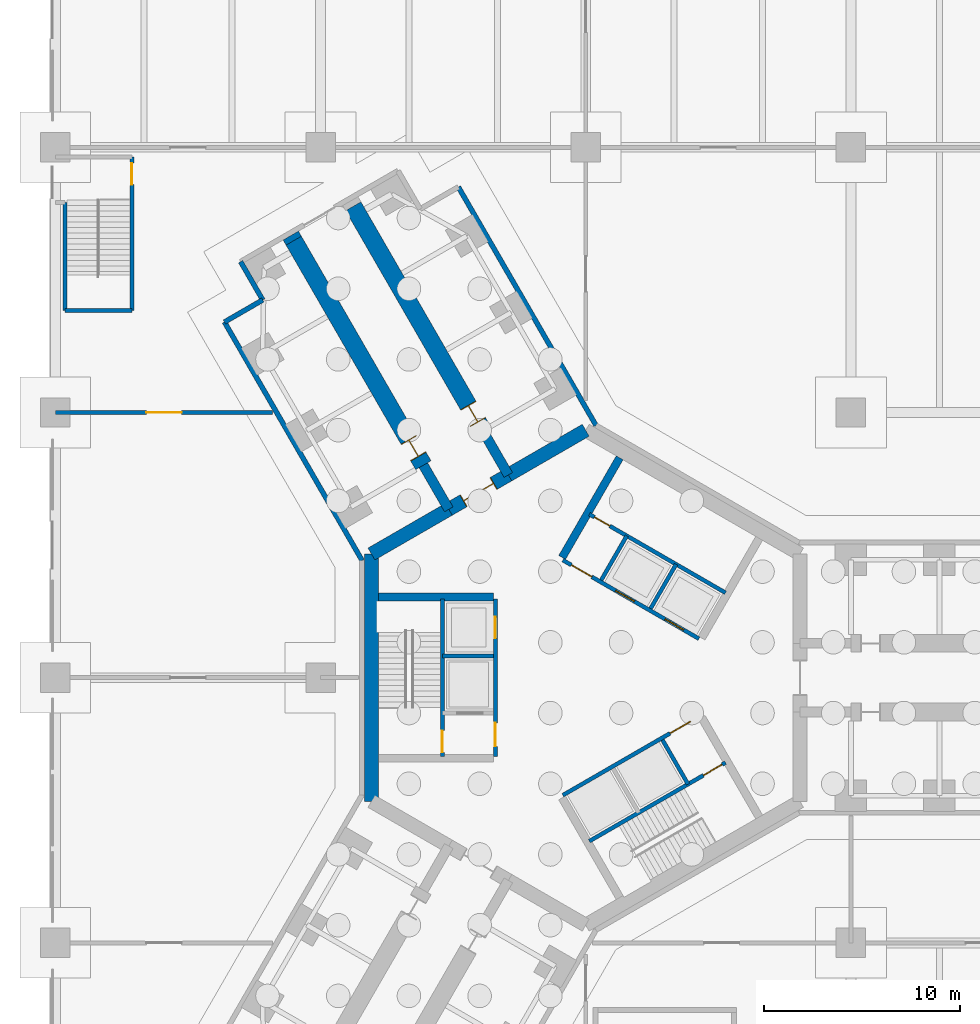
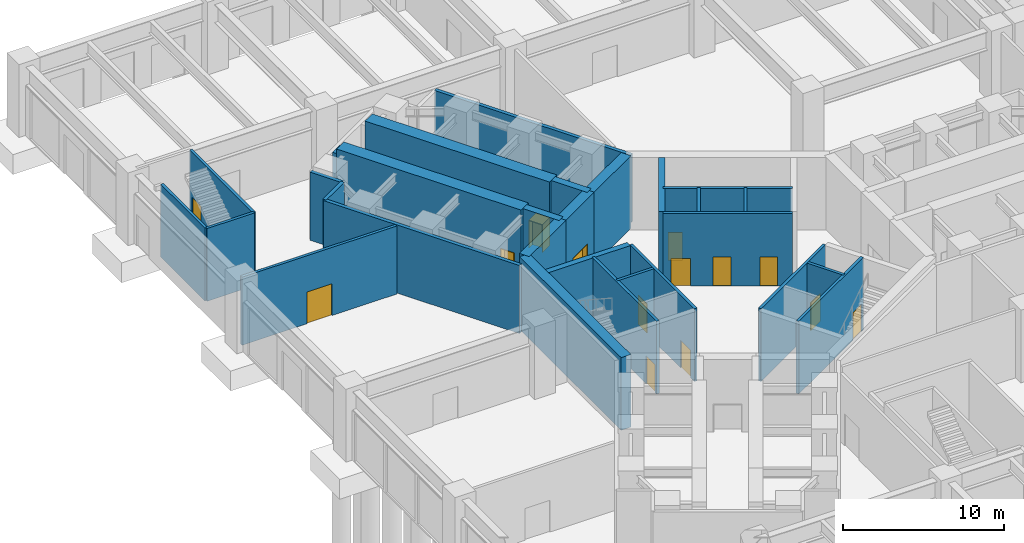
# One storey, part 8 of 18: 29 walls, 14 doors, 14 openings.
"""IFC4 building model written with IfcOpenShell, lengths in metres."""

from ifc_helpers import new_model, si_unit, direction, frame, frame_2d, origin, place, context, subcontext, project, spatial, rectangle, extrude, material, layer, layer_set, type_object, element, fill, save


model = new_model("IFC4")

# Units and contexts
model_context = context("Model", 3, precision=1e-05, world=origin(), true_north=direction((0.0, 1.0)))
body_context = subcontext(model_context, "Body", "Model", "MODEL_VIEW")
ifc_project = project(units=[si_unit("LENGTHUNIT", "METRE"), si_unit("AREAUNIT", "SQUARE_METRE"), si_unit("VOLUMEUNIT", "CUBIC_METRE"), si_unit("PLANEANGLEUNIT", "RADIAN"), si_unit("MASSUNIT", "GRAM", prefix="KILO")], contexts=[model_context])

# Site, building, storey
site_placement = place(None, origin())
site = spatial("IfcSite", under=ifc_project, at=site_placement, CompositionType="ELEMENT")
building_placement = place(site_placement, origin())
building = spatial("IfcBuilding", under=site, at=building_placement, Name="Upepo Twin Towers", CompositionType="ELEMENT")
storey_placement = place(building_placement, origin())
storey = spatial("IfcBuildingStorey", under=building, at=storey_placement, Name="L00", CompositionType="ELEMENT", Elevation=0.0)

# Walls
ifc_material_1 = material(Name="Dense concrete blockwork", Category="masonry")
ifc_layer_1 = layer(ifc_material_1, 0.89990234375)
ifc_layer_set_1 = layer_set([ifc_layer_1], Name="Buttress closer 900, blockwork with fire-stopping to the curtain wall")
wall_type_1 = type_object("IfcWallType", Name="Buttress closer 900, blockwork with fire-stopping to the curtain wall", PredefinedType="PARTITIONING", material=ifc_layer_set_1)
wall_1_placement = place(storey_placement, frame((-14.865478515625, 22.247802734375, 0.0), z_axis=(0.0, 0.0, 1.0), x_axis=(-0.500426713919, 0.865778900179, 0.0)))
element("IfcWall", 1, at=wall_1_placement, inside=storey, type_object=wall_type_1, Name="T1 L00 wing B buttress closer L", PredefinedType="PARTITIONING", context=body_context, shape_type="SweptSolid", body=[
    extrude(rectangle(XDim=0.300048828125, YDim=0.89990234375, at=frame_2d((0.14990234375, 0.0))), origin(), (0.0, 0.0, 1.0), 5.14990234375),
])
ifc_material_2 = material(Name="Concrete C60/75", Category="concrete")
ifc_layer_2 = layer(ifc_material_2, 0.5)
ifc_layer_set_2 = layer_set([ifc_layer_2], Name="Concrete C60/75")
wall_type_2 = type_object("IfcWallType", Name="Buttress wall 500 RC", PredefinedType="SHEAR", material=ifc_layer_set_2)
for number, where, z_axis, x_axis, name in (
    (2, (-6.9697265625, 8.57177734375, 0.0), (0.0, 0.0, 1.0), (-0.499988811324, 0.866031863473, 0.0), "T1 wing B buttress wall L"),
    (3, (-3.938720703125, 10.32177734375, 0.0), (0.0, 0.0, 1.0), (-0.499918158782, 0.866072649678, 0.0), "T1 wing B buttress wall R"),
):
    element("IfcWall", number, at=place(storey_placement, frame(where, z_axis=z_axis, x_axis=x_axis)), inside=storey, type_object=wall_type_2, Name=name, PredefinedType="SHEAR", context=body_context, shape_type="SweptSolid", body=[
        extrude(rectangle(XDim=2.591796875, YDim=0.5, at=frame_2d((1.2958984375, 0.0))), origin(), (0.0, 0.0, 1.0), 5.5),
    ])

# Wall, opening, door
ifc_material_3 = material(Name="Concrete C60/75", Category="concrete")
ifc_layer_3 = layer(ifc_material_3, 0.89990234375)
ifc_layer_set_3 = layer_set([ifc_layer_3], Name="Concrete C60/75")
wall_type_3 = type_object("IfcWallType", Name="Buttress wall 900 RC", PredefinedType="SHEAR", material=ifc_layer_set_3)
wall_2_placement = place(storey_placement, frame((-8.265625, 10.81640625, 0.0), z_axis=(0.0, 0.0, 1.0), x_axis=(-0.499996231654, 0.866027579429, 0.0)))
wall_2 = element("IfcWall", 4, at=wall_2_placement, inside=storey, type_object=wall_type_3, Name="T1 wing B buttress wall L part 2", PredefinedType="SHEAR", context=body_context, shape_type="SweptSolid", body=[
    extrude(rectangle(XDim=13.19970703125, YDim=0.89990234375, at=frame_2d((6.599853515625, 0.0))), origin(), (0.0, 0.0, 1.0), 5.5),
])
opening_1_placement = place(wall_2_placement, frame((0.5, 0.0, 0.0)))
opening_1 = element("IfcOpeningElement", 5, at=opening_1_placement, cuts=wall_2, Name="Opening D1", PredefinedType="OPENING", context=body_context, shape_type="SweptSolid", body=[
    extrude(rectangle(XDim=1.0, YDim=2.10009765625, at=frame_2d((0.5, 1.050048828125))), frame((0.0, 0.4599609375, 0.0), z_axis=(0.0, -1.0, 0.0), x_axis=(1.0, 0.0, 0.0)), (0.0, 0.0, 1.0), 0.919921875),
])
ifc_material_4 = material(Name="Timber doorset", Category="wood")
door_type_1 = type_object("IfcDoorType", Name="Room door 1000 FD30", OperationType="SINGLE_SWING_LEFT", PredefinedType="DOOR", material=ifc_material_4)
door_1_placement = place(opening_1_placement, origin())
door_1 = element("IfcDoor", 6, at=door_1_placement, inside=storey, type_object=door_type_1, Name="T1 L00 student advice centre door", OperationType="SINGLE_SWING_LEFT", OverallHeight=2.10009765625, OverallWidth=1.0, PredefinedType="DOOR", context=body_context, shape_type="SweptSolid", body=[
    extrude(rectangle(XDim=0.92, YDim=2.06009765625, at=frame_2d((0.5, 1.030029296875))), frame((0.0, 0.02490234375, 0.0), z_axis=(0.0, -1.0, 0.0), x_axis=(1.0, 0.0, 0.0)), (0.0, 0.0, 1.0), 0.050048828125),
    extrude(rectangle(XDim=0.04, YDim=2.10009765625, at=frame_2d((0.02001953125, 1.050048828125))), frame((0.0, 0.44970703125, 0.0), z_axis=(0.0, -1.0, 0.0), x_axis=(1.0, 0.0, 0.0)), (0.0, 0.0, 1.0), 0.8994140625),
    extrude(rectangle(XDim=0.04, YDim=2.10009765625, at=frame_2d((0.97998046875, 1.050048828125))), frame((0.0, 0.44970703125, 0.0), z_axis=(0.0, -1.0, 0.0), x_axis=(1.0, 0.0, 0.0)), (0.0, 0.0, 1.0), 0.8994140625),
    extrude(rectangle(XDim=0.92, YDim=0.04, at=frame_2d((0.5, 2.080078125))), frame((0.0, 0.44970703125, 0.0), z_axis=(0.0, -1.0, 0.0), x_axis=(1.0, 0.0, 0.0)), (0.0, 0.0, 1.0), 0.8994140625),
])
fill(opening_1, door_1)

wall_3_placement = place(storey_placement, frame((-5.234375, 12.56640625, 0.0), z_axis=(0.0, 0.0, 1.0), x_axis=(-0.500010103361, 0.866019570528, 0.0)))
wall_3 = element("IfcWall", 7, at=wall_3_placement, inside=storey, type_object=wall_type_3, Name="T1 wing B buttress wall R part 2", PredefinedType="SHEAR", context=body_context, shape_type="SweptSolid", body=[
    extrude(rectangle(XDim=13.199951171875, YDim=0.89990234375, at=frame_2d((6.60009765625, 0.0))), origin(), (0.0, 0.0, 1.0), 5.5),
])
opening_2_placement = place(wall_3_placement, frame((0.5, 0.0, 0.0)))
opening_2 = element("IfcOpeningElement", 8, at=opening_2_placement, cuts=wall_3, Name="Opening D1", PredefinedType="OPENING", context=body_context, shape_type="SweptSolid", body=[
    extrude(rectangle(XDim=1.0, YDim=2.10009765625, at=frame_2d((0.5, 1.050048828125))), frame((0.0, 0.4599609375, 0.0), z_axis=(0.0, -1.0, 0.0), x_axis=(1.0, 0.0, 0.0)), (0.0, 0.0, 1.0), 0.919921875),
])
door_2_placement = place(opening_2_placement, origin())
door_2 = element("IfcDoor", 9, at=door_2_placement, inside=storey, type_object=door_type_1, Name="T1 L00 student advice centre door", OperationType="SINGLE_SWING_LEFT", OverallHeight=2.10009765625, OverallWidth=1.0, PredefinedType="DOOR", context=body_context, shape_type="SweptSolid", body=[
    extrude(rectangle(XDim=0.92, YDim=2.06009765625, at=frame_2d((0.5, 1.030029296875))), frame((0.0, 0.02490234375, 0.0), z_axis=(0.0, -1.0, 0.0), x_axis=(1.0, 0.0, 0.0)), (0.0, 0.0, 1.0), 0.050048828125),
    extrude(rectangle(XDim=0.04, YDim=2.10009765625, at=frame_2d((0.02001953125, 1.050048828125))), frame((0.0, 0.44970703125, 0.0), z_axis=(0.0, -1.0, 0.0), x_axis=(1.0, 0.0, 0.0)), (0.0, 0.0, 1.0), 0.8994140625),
    extrude(rectangle(XDim=0.04, YDim=2.10009765625, at=frame_2d((0.97998046875, 1.050048828125))), frame((0.0, 0.44970703125, 0.0), z_axis=(0.0, -1.0, 0.0), x_axis=(1.0, 0.0, 0.0)), (0.0, 0.0, 1.0), 0.8994140625),
    extrude(rectangle(XDim=0.92, YDim=0.04, at=frame_2d((0.5, 2.080078125))), frame((0.0, 0.44970703125, 0.0), z_axis=(0.0, -1.0, 0.0), x_axis=(1.0, 0.0, 0.0)), (0.0, 0.0, 1.0), 0.8994140625),
])
fill(opening_2, door_2)

# Wall
ifc_material_5 = material(Name="Concrete C60/75", Category="concrete")
ifc_layer_4 = layer(ifc_material_5, 0.699951171875)
ifc_layer_set_4 = layer_set([ifc_layer_4], Name="Concrete C60/75")
wall_type_4 = type_object("IfcWallType", Name="Core wall 700 RC", PredefinedType="SHEAR", material=ifc_layer_set_4)
wall_4_placement = place(storey_placement, frame((0.0, 12.595947265625, 0.0), z_axis=(0.0, 0.0, 1.0), x_axis=(-0.866011268655, -0.500024481964, 0.0)))
element("IfcWall", 10, at=wall_4_placement, inside=storey, type_object=wall_type_4, Name="T1 core wall 120 R", PredefinedType="SHEAR", context=body_context, shape_type="SweptSolid", body=[
    extrude(rectangle(XDim=4.548095703125, YDim=0.699951171875, at=frame_2d((2.27392578125, 0.0))), origin(), (0.0, 0.0, 1.0), 5.5),
])

# Wall, opening, door
wall_5_placement = place(storey_placement, frame((-3.938720703125, 10.32177734375, 0.0), z_axis=(0.0, 0.0, 1.0), x_axis=(-0.866019471182, -0.500010275428, 0.0)))
wall_5 = element("IfcWall", 11, at=wall_5_placement, inside=storey, type_object=wall_type_4, Name="T1 core wall 120", PredefinedType="SHEAR", context=body_context, shape_type="SweptSolid", body=[
    extrude(rectangle(XDim=3.5, YDim=0.699951171875, at=frame_2d((1.75, 0.0))), origin(), (0.0, 0.0, 1.0), 5.5),
])
opening_3_placement = place(wall_5_placement, frame((0.85009765625, 0.0, 0.0)))
opening_3 = element("IfcOpeningElement", 12, at=opening_3_placement, cuts=wall_5, Name="Opening D2", PredefinedType="OPENING", context=body_context, shape_type="SweptSolid", body=[
    extrude(rectangle(XDim=1.800048828125, YDim=2.10009765625, at=frame_2d((0.89990234375, 1.050048828125))), frame((0.0, 0.35986328125, 0.0), z_axis=(0.0, -1.0, 0.0), x_axis=(1.0, 0.0, 0.0)), (0.0, 0.0, 1.0), 0.719970703125),
])
ifc_material_6 = material(Name="Timber doorset", Category="wood")
door_type_2 = type_object("IfcDoorType", Name="Corridor double door 1800 FD60", OperationType="DOUBLE_DOOR_DOUBLE_SWING", PredefinedType="DOOR", material=ifc_material_6)
door_3_placement = place(opening_3_placement, origin())
door_3 = element("IfcDoor", 13, at=door_3_placement, inside=storey, type_object=door_type_2, Name="T1 L00 wing B corridor door", OperationType="DOUBLE_DOOR_DOUBLE_SWING", OverallHeight=2.10009765625, OverallWidth=1.800048828125, PredefinedType="DOOR", context=body_context, shape_type="SweptSolid", body=[
    extrude(rectangle(XDim=1.720048828125, YDim=2.06009765625, at=frame_2d((0.89990234375, 1.030029296875))), frame((0.0, 0.02490234375, 0.0), z_axis=(0.0, -1.0, 0.0), x_axis=(1.0, 0.0, 0.0)), (0.0, 0.0, 1.0), 0.050048828125),
    extrude(rectangle(XDim=0.04, YDim=2.10009765625, at=frame_2d((0.02001953125, 1.050048828125))), frame((0.0, 0.349609375, 0.0), z_axis=(0.0, -1.0, 0.0), x_axis=(1.0, 0.0, 0.0)), (0.0, 0.0, 1.0), 0.699462890625),
    extrude(rectangle(XDim=0.04, YDim=2.10009765625, at=frame_2d((1.780029296875, 1.050048828125))), frame((0.0, 0.349609375, 0.0), z_axis=(0.0, -1.0, 0.0), x_axis=(1.0, 0.0, 0.0)), (0.0, 0.0, 1.0), 0.699462890625),
    extrude(rectangle(XDim=1.720048828125, YDim=0.04, at=frame_2d((0.89990234375, 2.080078125))), frame((0.0, 0.349609375, 0.0), z_axis=(0.0, -1.0, 0.0), x_axis=(1.0, 0.0, 0.0)), (0.0, 0.0, 1.0), 0.699462890625),
])
fill(opening_3, door_3)

# Walls
wall_6_placement = place(storey_placement, frame((-6.9697265625, 8.57177734375, 0.0), z_axis=(0.0, 0.0, 1.0), x_axis=(-0.866034513004, -0.499984222037, 0.0)))
element("IfcWall", 14, at=wall_6_placement, inside=storey, type_object=wall_type_4, Name="T1 core wall 120 L", PredefinedType="SHEAR", context=body_context, shape_type="SweptSolid", body=[
    extrude(rectangle(XDim=4.548095703125, YDim=0.699951171875, at=frame_2d((2.27392578125, 0.0))), origin(), (0.0, 0.0, 1.0), 5.5),
])
wall_7_placement = place(storey_placement, frame((-10.908447265625, 6.2978515625, 0.0), z_axis=(0.0, 0.0, 1.0), x_axis=(0.0, -1.0, 0.0)))
element("IfcWall", 15, at=wall_7_placement, inside=storey, type_object=wall_type_4, Name="T1 core wall 180", PredefinedType="SHEAR", context=body_context, shape_type="SweptSolid", body=[
    extrude(rectangle(XDim=12.595703125, YDim=0.699951171875, at=frame_2d((6.2978515625, 0.0))), origin(), (0.0, 0.0, 1.0), 5.5),
])

# Wall, opening, door
ifc_material_7 = material(Name="Concrete blockwork", Category="masonry")
ifc_layer_5 = layer(ifc_material_7, 0.199951171875)
ifc_layer_set_5 = layer_set([ifc_layer_5], Name="Podium partition 200 blockwork")
wall_type_5 = type_object("IfcWallType", Name="Podium partition 200 blockwork", PredefinedType="PARTITIONING", material=ifc_layer_set_5)
wall_8_placement = place(storey_placement, frame((-27.0, 13.5, 0.0), z_axis=(0.0, 0.0, 1.0), x_axis=(1.0, 0.0, 0.0)))
wall_8 = element("IfcWall", 16, at=wall_8_placement, inside=storey, type_object=wall_type_5, Name="L00 podium wall Y04", PredefinedType="PARTITIONING", context=body_context, shape_type="SweptSolid", body=[
    extrude(rectangle(XDim=11.065185546875, YDim=0.199951171875, at=frame_2d((5.53271484375, 0.0))), origin(), (0.0, 0.0, 1.0), 5.14990234375),
])
opening_4_placement = place(wall_8_placement, frame((4.632568359375, 0.0, 0.0)))
opening_4 = element("IfcOpeningElement", 17, at=opening_4_placement, cuts=wall_8, Name="Opening D10", PredefinedType="OPENING", context=body_context, shape_type="SweptSolid", body=[
    extrude(rectangle(XDim=1.800048828125, YDim=2.39990234375, at=frame_2d((0.89990234375, 1.199951171875))), frame((0.0, 0.10986328125, 0.0), z_axis=(0.0, -1.0, 0.0), x_axis=(1.0, 0.0, 0.0)), (0.0, 0.0, 1.0), 0.219970703125),
])
ifc_material_8 = material(Name="Timber doorset", Category="wood")
door_type_3 = type_object("IfcDoorType", Name="Podium double door 1800", OperationType="DOUBLE_DOOR_DOUBLE_SWING", PredefinedType="DOOR", material=ifc_material_8)
door_4_placement = place(opening_4_placement, origin())
door_4 = element("IfcDoor", 18, at=door_4_placement, inside=storey, type_object=door_type_3, Name="L00 bookshop annex 2 door", OperationType="DOUBLE_DOOR_DOUBLE_SWING", OverallHeight=2.39990234375, OverallWidth=1.800048828125, PredefinedType="DOOR", context=body_context, shape_type="SweptSolid", body=[
    extrude(rectangle(XDim=1.800048828125, YDim=2.39990234375, at=frame_2d((0.89990234375, 1.199951171875))), frame((0.0, 0.02490234375, 0.0), z_axis=(0.0, -1.0, 0.0), x_axis=(1.0, 0.0, 0.0)), (0.0, 0.0, 1.0), 0.050048828125),
])
fill(opening_4, door_4)

# Wall
ifc_material_9 = material(Name="Concrete C40/50", Category="concrete")
ifc_layer_6 = layer(ifc_material_9, 0.199951171875)
ifc_layer_set_6 = layer_set([ifc_layer_6], Name="Concrete C40/50")
wall_type_6 = type_object("IfcWallType", Name="Podium stair enclosure 200 RC", PredefinedType="SHEAR", material=ifc_layer_set_6)
wall_9_placement = place(storey_placement, frame((-26.5, 18.699951171875, 0.0), z_axis=(0.0, 0.0, 1.0), x_axis=(1.0, 0.0, 0.0)))
element("IfcWall", 19, at=wall_9_placement, inside=storey, type_object=wall_type_6, Name="PS1 L00 enclosure wall 1", PredefinedType="SHEAR", context=body_context, shape_type="SweptSolid", body=[
    extrude(rectangle(XDim=3.39990234375, YDim=0.199951171875, at=frame_2d((1.699951171875, 0.0))), origin(), (0.0, 0.0, 1.0), 5.5),
])

# Wall, opening, door
wall_10_placement = place(storey_placement, frame((-23.10009765625, 18.699951171875, 0.0), z_axis=(0.0, 0.0, 1.0), x_axis=(0.0, 1.0, 0.0)))
wall_10 = element("IfcWall", 20, at=wall_10_placement, inside=storey, type_object=wall_type_6, Name="PS1 L00 enclosure wall 2", PredefinedType="SHEAR", context=body_context, shape_type="SweptSolid", body=[
    extrude(rectangle(XDim=7.800048828125, YDim=0.199951171875, at=frame_2d((3.89990234375, 0.0))), origin(), (0.0, 0.0, 1.0), 5.5),
])
opening_5_placement = place(wall_10_placement, frame((6.39990234375, 0.0, 0.0)))
opening_5 = element("IfcOpeningElement", 21, at=opening_5_placement, cuts=wall_10, Name="Opening D3", PredefinedType="OPENING", context=body_context, shape_type="SweptSolid", body=[
    extrude(rectangle(XDim=1.10009765625, YDim=2.10009765625, at=frame_2d((0.550048828125, 1.050048828125))), frame((0.0, 0.10986328125, 0.0), z_axis=(0.0, -1.0, 0.0), x_axis=(1.0, 0.0, 0.0)), (0.0, 0.0, 1.0), 0.219970703125),
])
ifc_material_10 = material(Name="Timber doorset", Category="wood")
door_type_4 = type_object("IfcDoorType", Name="Stair door 1100 FD60", OperationType="SINGLE_SWING_LEFT", PredefinedType="DOOR", material=ifc_material_10)
door_5_placement = place(opening_5_placement, origin())
door_5 = element("IfcDoor", 22, at=door_5_placement, inside=storey, type_object=door_type_4, Name="PS1 L00 door", OperationType="SINGLE_SWING_RIGHT", OverallHeight=2.10009765625, OverallWidth=1.10009765625, PredefinedType="DOOR", context=body_context, shape_type="SweptSolid", body=[
    extrude(rectangle(XDim=1.10009765625, YDim=2.10009765625, at=frame_2d((0.550048828125, 1.050048828125))), frame((0.0, 0.02490234375, 0.0), z_axis=(0.0, -1.0, 0.0), x_axis=(1.0, 0.0, 0.0)), (0.0, 0.0, 1.0), 0.050048828125),
])
fill(opening_5, door_5)

# Wall
wall_11_placement = place(storey_placement, frame((-26.5, 24.199951171875, 0.0), z_axis=(0.0, 0.0, 1.0), x_axis=(0.0, -1.0, 0.0)))
element("IfcWall", 23, at=wall_11_placement, inside=storey, type_object=wall_type_6, Name="PS1 L00 enclosure wall 4", PredefinedType="SHEAR", context=body_context, shape_type="SweptSolid", body=[
    extrude(rectangle(XDim=5.5, YDim=0.199951171875, at=frame_2d((2.75, 0.0))), origin(), (0.0, 0.0, 1.0), 5.5),
])

# Wall, openings, doors
ifc_material_11 = material(Name="Concrete C40/50", Category="concrete")
ifc_layer_7 = layer(ifc_material_11, 0.199951171875)
ifc_layer_set_7 = layer_set([ifc_layer_7], Name="Concrete C40/50")
wall_type_7 = type_object("IfcWallType", Name="Shaft wall 200 RC", PredefinedType="SHEAR", material=ifc_layer_set_7)
wall_12_placement = place(storey_placement, frame((5.76416015625, 1.983642578125, 0.0), z_axis=(0.0, 0.0, 1.0), x_axis=(-0.866026010844, 0.49999894854, 0.0)))
wall_12 = element("IfcWall", 24, at=wall_12_placement, inside=storey, type_object=wall_type_7, Name="T1 core W60 front wall", PredefinedType="SHEAR", context=body_context, shape_type="SweptSolid", body=[
    extrude(rectangle(XDim=8.0, YDim=0.199951171875, at=frame_2d((4.0, 0.0))), origin(), (0.0, 0.0, 1.0), 5.5),
])
opening_6_placement = place(wall_12_placement, frame((6.300048828125, 0.0, 0.0)))
opening_6 = element("IfcOpeningElement", 25, at=opening_6_placement, cuts=wall_12, Name="Opening D4", PredefinedType="OPENING", context=body_context, shape_type="SweptSolid", body=[
    extrude(rectangle(XDim=1.199951171875, YDim=2.10009765625, at=frame_2d((0.60009765625, 1.050048828125))), frame((0.0, 0.10986328125, 0.0), z_axis=(0.0, -1.0, 0.0), x_axis=(1.0, 0.0, 0.0)), (0.0, 0.0, 1.0), 0.219970703125),
])
opening_7_placement = place(wall_12_placement, frame((0.89990234375, 0.0, 0.0)))
opening_7 = element("IfcOpeningElement", 26, at=opening_7_placement, cuts=wall_12, Name="Opening LD1", PredefinedType="OPENING", context=body_context, shape_type="SweptSolid", body=[
    extrude(rectangle(XDim=1.10009765625, YDim=2.199951171875, at=frame_2d((0.550048828125, 1.10009765625))), frame((0.0, 0.10986328125, 0.0), z_axis=(0.0, -1.0, 0.0), x_axis=(1.0, 0.0, 0.0)), (0.0, 0.0, 1.0), 0.219970703125),
])
opening_8_placement = place(wall_12_placement, frame((3.800048828125, 0.0, 0.0)))
opening_8 = element("IfcOpeningElement", 27, at=opening_8_placement, cuts=wall_12, Name="Opening LD1", PredefinedType="OPENING", context=body_context, shape_type="SweptSolid", body=[
    extrude(rectangle(XDim=1.10009765625, YDim=2.199951171875, at=frame_2d((0.550048828125, 1.10009765625))), frame((0.0, 0.10986328125, 0.0), z_axis=(0.0, -1.0, 0.0), x_axis=(1.0, 0.0, 0.0)), (0.0, 0.0, 1.0), 0.219970703125),
])
ifc_material_12 = material(Name="Steel doorset", Category="steel")
door_type_5 = type_object("IfcDoorType", Name="Lift landing door 1100", OperationType="DOUBLE_DOOR_SLIDING", PredefinedType="DOOR", material=ifc_material_12)
door_6_placement = place(opening_7_placement, origin())
door_6 = element("IfcDoor", 28, at=door_6_placement, inside=storey, type_object=door_type_5, Name="T1 L00 lift EX1 landing door", OperationType="DOUBLE_DOOR_SLIDING", OverallHeight=2.199951171875, OverallWidth=1.10009765625, PredefinedType="DOOR", context=body_context, shape_type="SweptSolid", body=[
    extrude(rectangle(XDim=1.10009765625, YDim=2.199951171875, at=frame_2d((0.550048828125, 1.10009765625))), frame((0.0, 0.02490234375, 0.0), z_axis=(0.0, -1.0, 0.0), x_axis=(1.0, 0.0, 0.0)), (0.0, 0.0, 1.0), 0.050048828125),
])
fill(opening_7, door_6)
door_7_placement = place(opening_8_placement, origin())
door_7 = element("IfcDoor", 29, at=door_7_placement, inside=storey, type_object=door_type_5, Name="T1 L00 lift EX2 landing door", OperationType="DOUBLE_DOOR_SLIDING", OverallHeight=2.199951171875, OverallWidth=1.10009765625, PredefinedType="DOOR", context=body_context, shape_type="SweptSolid", body=[
    extrude(rectangle(XDim=1.10009765625, YDim=2.199951171875, at=frame_2d((0.550048828125, 1.10009765625))), frame((0.0, 0.02490234375, 0.0), z_axis=(0.0, -1.0, 0.0), x_axis=(1.0, 0.0, 0.0)), (0.0, 0.0, 1.0), 0.050048828125),
])
fill(opening_8, door_7)
ifc_material_13 = material(Name="Timber doorset", Category="wood")
door_type_6 = type_object("IfcDoorType", Name="Lobby door 1200 FD60", OperationType="SINGLE_SWING_LEFT", PredefinedType="DOOR", material=ifc_material_13)
door_8_placement = place(opening_6_placement, origin())
door_8 = element("IfcDoor", 30, at=door_8_placement, inside=storey, type_object=door_type_6, Name="T1 L00 W60 lobby door", OperationType="SINGLE_SWING_RIGHT", OverallHeight=2.10009765625, OverallWidth=1.199951171875, PredefinedType="DOOR", context=body_context, shape_type="SweptSolid", body=[
    extrude(rectangle(XDim=1.199951171875, YDim=2.10009765625, at=frame_2d((0.60009765625, 1.050048828125))), frame((0.0, 0.02490234375, 0.0), z_axis=(0.0, -1.0, 0.0), x_axis=(1.0, 0.0, 0.0)), (0.0, 0.0, 1.0), 0.050048828125),
])
fill(opening_6, door_8)

# Walls
for number, where, z_axis, x_axis, name in (
    (31, (3.302734375, 3.520263671875, 0.0), (0.0, 0.0, 1.0), (0.499936506574, 0.866062058628, 0.0), "T1 core W60 shaft divider"),
    (32, (0.791259765625, 4.97021484375, 0.0), (0.0, 0.0, 1.0), (0.499936506574, 0.866062058628, 0.0), "T1 core W60 lobby wall"),
):
    element("IfcWall", number, at=place(storey_placement, frame(where, z_axis=z_axis, x_axis=x_axis)), inside=storey, type_object=wall_type_7, Name=name, PredefinedType="SHEAR", context=body_context, shape_type="SweptSolid", body=[
        extrude(rectangle(XDim=2.599853515625, YDim=0.199951171875, at=frame_2d((1.2998046875, 0.0))), origin(), (0.0, 0.0, 1.0), 5.5),
    ])

# Wall, opening, door
wall_13_placement = place(storey_placement, frame((7.114013671875, 4.322021484375, 0.0), z_axis=(0.0, 0.0, 1.0), x_axis=(-0.866026010844, 0.49999894854, 0.0)))
wall_13 = element("IfcWall", 33, at=wall_13_placement, inside=storey, type_object=wall_type_7, Name="T1 core W60 stair wall", PredefinedType="SHEAR", context=body_context, shape_type="SweptSolid", body=[
    extrude(rectangle(XDim=8.0, YDim=0.199951171875, at=frame_2d((4.0, 0.0))), origin(), (0.0, 0.0, 1.0), 5.5),
])
opening_9_placement = place(wall_13_placement, frame((6.800048828125, 0.0, 0.0)))
opening_9 = element("IfcOpeningElement", 34, at=opening_9_placement, cuts=wall_13, Name="Opening D9", PredefinedType="OPENING", context=body_context, shape_type="SweptSolid", body=[
    extrude(rectangle(XDim=0.89990234375, YDim=2.10009765625, at=frame_2d((0.449951171875, 1.050048828125))), frame((0.0, 0.10986328125, 0.0), z_axis=(0.0, -1.0, 0.0), x_axis=(1.0, 0.0, 0.0)), (0.0, 0.0, 1.0), 0.219970703125),
])
ifc_material_14 = material(Name="Timber doorset", Category="wood")
door_type_7 = type_object("IfcDoorType", Name="Riser door 900 FD60", OperationType="SINGLE_SWING_LEFT", PredefinedType="DOOR", material=ifc_material_14)
door_9_placement = place(opening_9_placement, origin())
door_9 = element("IfcDoor", 35, at=door_9_placement, inside=storey, type_object=door_type_7, Name="T1 L00 riser door", OperationType="SINGLE_SWING_RIGHT", OverallHeight=2.10009765625, OverallWidth=0.89990234375, PredefinedType="DOOR", context=body_context, shape_type="SweptSolid", body=[
    extrude(rectangle(XDim=0.89990234375, YDim=2.10009765625, at=frame_2d((0.449951171875, 1.050048828125))), frame((0.0, 0.02490234375, 0.0), z_axis=(0.0, -1.0, 0.0), x_axis=(1.0, 0.0, 0.0)), (0.0, 0.0, 1.0), 0.050048828125),
])
fill(opening_9, door_9)

# Wall, openings, doors
wall_14_placement = place(storey_placement, frame((-4.60009765625, 4.0, 0.0), z_axis=(0.0, 0.0, 1.0), x_axis=(0.0, -1.0, 0.0)))
wall_14 = element("IfcWall", 36, at=wall_14_placement, inside=storey, type_object=wall_type_7, Name="T1 core W180 front wall", PredefinedType="SHEAR", context=body_context, shape_type="SweptSolid", body=[
    extrude(rectangle(XDim=8.0, YDim=0.199951171875, at=frame_2d((4.0, 0.0))), origin(), (0.0, 0.0, 1.0), 5.5),
])
opening_10_placement = place(wall_14_placement, frame((6.300048828125, 0.0, 0.0)))
opening_10 = element("IfcOpeningElement", 37, at=opening_10_placement, cuts=wall_14, Name="Opening D4", PredefinedType="OPENING", context=body_context, shape_type="SweptSolid", body=[
    extrude(rectangle(XDim=1.199951171875, YDim=2.10009765625, at=frame_2d((0.60009765625, 1.050048828125))), frame((0.0, 0.10986328125, 0.0), z_axis=(0.0, -1.0, 0.0), x_axis=(1.0, 0.0, 0.0)), (0.0, 0.0, 1.0), 0.219970703125),
])
opening_11_placement = place(wall_14_placement, frame((0.89990234375, 0.0, 0.0)))
opening_11 = element("IfcOpeningElement", 38, at=opening_11_placement, cuts=wall_14, Name="Opening LD1", PredefinedType="OPENING", context=body_context, shape_type="SweptSolid", body=[
    extrude(rectangle(XDim=1.10009765625, YDim=2.199951171875, at=frame_2d((0.550048828125, 1.10009765625))), frame((0.0, 0.10986328125, 0.0), z_axis=(0.0, -1.0, 0.0), x_axis=(1.0, 0.0, 0.0)), (0.0, 0.0, 1.0), 0.219970703125),
])
door_10_placement = place(opening_11_placement, origin())
door_10 = element("IfcDoor", 39, at=door_10_placement, inside=storey, type_object=door_type_5, Name="T1 L00 lift SV1 landing door", OperationType="DOUBLE_DOOR_SLIDING", OverallHeight=2.199951171875, OverallWidth=1.10009765625, PredefinedType="DOOR", context=body_context, shape_type="SweptSolid", body=[
    extrude(rectangle(XDim=1.10009765625, YDim=2.199951171875, at=frame_2d((0.550048828125, 1.10009765625))), frame((0.0, 0.02490234375, 0.0), z_axis=(0.0, -1.0, 0.0), x_axis=(1.0, 0.0, 0.0)), (0.0, 0.0, 1.0), 0.050048828125),
])
fill(opening_11, door_10)
door_11_placement = place(opening_10_placement, origin())
door_11 = element("IfcDoor", 40, at=door_11_placement, inside=storey, type_object=door_type_6, Name="T1 L00 W180 lobby door", OperationType="SINGLE_SWING_RIGHT", OverallHeight=2.10009765625, OverallWidth=1.199951171875, PredefinedType="DOOR", context=body_context, shape_type="SweptSolid", body=[
    extrude(rectangle(XDim=1.199951171875, YDim=2.10009765625, at=frame_2d((0.60009765625, 1.050048828125))), frame((0.0, 0.02490234375, 0.0), z_axis=(0.0, -1.0, 0.0), x_axis=(1.0, 0.0, 0.0)), (0.0, 0.0, 1.0), 0.050048828125),
])
fill(opening_10, door_11)

# Wall
wall_15_placement = place(storey_placement, frame((-4.699951171875, 1.10009765625, 0.0), z_axis=(0.0, 0.0, 1.0), x_axis=(-1.0, 0.0, 0.0)))
element("IfcWall", 41, at=wall_15_placement, inside=storey, type_object=wall_type_7, Name="T1 core W180 shaft divider", PredefinedType="SHEAR", context=body_context, shape_type="SweptSolid", body=[
    extrude(rectangle(XDim=2.60009765625, YDim=0.199951171875, at=frame_2d((1.300048828125, 0.0))), origin(), (0.0, 0.0, 1.0), 5.5),
])

# Wall, opening, door
wall_16_placement = place(storey_placement, frame((-7.300048828125, 4.0, 0.0), z_axis=(0.0, 0.0, 1.0), x_axis=(0.0, -1.0, 0.0)))
wall_16 = element("IfcWall", 42, at=wall_16_placement, inside=storey, type_object=wall_type_7, Name="T1 core W180 stair wall", PredefinedType="SHEAR", context=body_context, shape_type="SweptSolid", body=[
    extrude(rectangle(XDim=8.0, YDim=0.199951171875, at=frame_2d((4.0, 0.0))), origin(), (0.0, 0.0, 1.0), 5.5),
])
opening_12_placement = place(wall_16_placement, frame((6.699951171875, 0.0, 0.0)))
opening_12 = element("IfcOpeningElement", 43, at=opening_12_placement, cuts=wall_16, Name="Opening D3", PredefinedType="OPENING", context=body_context, shape_type="SweptSolid", body=[
    extrude(rectangle(XDim=1.10009765625, YDim=2.10009765625, at=frame_2d((0.550048828125, 1.050048828125))), frame((0.0, 0.10986328125, 0.0), z_axis=(0.0, -1.0, 0.0), x_axis=(1.0, 0.0, 0.0)), (0.0, 0.0, 1.0), 0.219970703125),
])
door_12_placement = place(opening_12_placement, origin())
door_12 = element("IfcDoor", 44, at=door_12_placement, inside=storey, type_object=door_type_4, Name="T1 L00 stair door", OperationType="SINGLE_SWING_RIGHT", OverallHeight=2.10009765625, OverallWidth=1.10009765625, PredefinedType="DOOR", context=body_context, shape_type="SweptSolid", body=[
    extrude(rectangle(XDim=1.10009765625, YDim=2.10009765625, at=frame_2d((0.550048828125, 1.050048828125))), frame((0.0, 0.02490234375, 0.0), z_axis=(0.0, -1.0, 0.0), x_axis=(1.0, 0.0, 0.0)), (0.0, 0.0, 1.0), 0.050048828125),
])
fill(opening_12, door_12)

wall_17_placement = place(storey_placement, frame((-1.1640625, -5.983642578125, 0.0), z_axis=(0.0, 0.0, 1.0), x_axis=(0.866026010844, 0.49999894854, 0.0)))
wall_17 = element("IfcWall", 45, at=wall_17_placement, inside=storey, type_object=wall_type_7, Name="T1 core W300 front wall", PredefinedType="SHEAR", context=body_context, shape_type="SweptSolid", body=[
    extrude(rectangle(XDim=8.0, YDim=0.199951171875, at=frame_2d((4.0, 0.0))), origin(), (0.0, 0.0, 1.0), 5.5),
])
opening_13_placement = place(wall_17_placement, frame((6.300048828125, 0.0, 0.0)))
opening_13 = element("IfcOpeningElement", 46, at=opening_13_placement, cuts=wall_17, Name="Opening D4", PredefinedType="OPENING", context=body_context, shape_type="SweptSolid", body=[
    extrude(rectangle(XDim=1.199951171875, YDim=2.10009765625, at=frame_2d((0.60009765625, 1.050048828125))), frame((0.0, 0.10986328125, 0.0), z_axis=(0.0, -1.0, 0.0), x_axis=(1.0, 0.0, 0.0)), (0.0, 0.0, 1.0), 0.219970703125),
])
door_13_placement = place(opening_13_placement, origin())
door_13 = element("IfcDoor", 47, at=door_13_placement, inside=storey, type_object=door_type_6, Name="T1 L00 W300 lobby door", OperationType="SINGLE_SWING_RIGHT", OverallHeight=2.10009765625, OverallWidth=1.199951171875, PredefinedType="DOOR", context=body_context, shape_type="SweptSolid", body=[
    extrude(rectangle(XDim=1.199951171875, YDim=2.10009765625, at=frame_2d((0.60009765625, 1.050048828125))), frame((0.0, 0.02490234375, 0.0), z_axis=(0.0, -1.0, 0.0), x_axis=(1.0, 0.0, 0.0)), (0.0, 0.0, 1.0), 0.050048828125),
])
fill(opening_13, door_13)

# Wall
wall_18_placement = place(storey_placement, frame((3.908935546875, -3.17041015625, 0.0), z_axis=(0.0, 0.0, 1.0), x_axis=(0.49997716683, -0.86603858612, 0.0)))
element("IfcWall", 48, at=wall_18_placement, inside=storey, type_object=wall_type_7, Name="T1 core W300 lobby wall", PredefinedType="SHEAR", context=body_context, shape_type="SweptSolid", body=[
    extrude(rectangle(XDim=2.599609375, YDim=0.199951171875, at=frame_2d((1.2998046875, 0.0))), origin(), (0.0, 0.0, 1.0), 5.5),
])

# Wall, opening, door
wall_19_placement = place(storey_placement, frame((0.185791015625, -8.322021484375, 0.0), z_axis=(0.0, 0.0, 1.0), x_axis=(0.866026010844, 0.49999894854, 0.0)))
wall_19 = element("IfcWall", 49, at=wall_19_placement, inside=storey, type_object=wall_type_7, Name="T1 core W300 stair wall", PredefinedType="SHEAR", context=body_context, shape_type="SweptSolid", body=[
    extrude(rectangle(XDim=8.0, YDim=0.199951171875, at=frame_2d((4.0, 0.0))), origin(), (0.0, 0.0, 1.0), 5.5),
])
opening_14_placement = place(wall_19_placement, frame((6.699951171875, 0.0, 0.0)))
opening_14 = element("IfcOpeningElement", 50, at=opening_14_placement, cuts=wall_19, Name="Opening D3", PredefinedType="OPENING", context=body_context, shape_type="SweptSolid", body=[
    extrude(rectangle(XDim=1.10009765625, YDim=2.10009765625, at=frame_2d((0.550048828125, 1.050048828125))), frame((0.0, 0.10986328125, 0.0), z_axis=(0.0, -1.0, 0.0), x_axis=(1.0, 0.0, 0.0)), (0.0, 0.0, 1.0), 0.219970703125),
])
door_14_placement = place(opening_14_placement, origin())
door_14 = element("IfcDoor", 51, at=door_14_placement, inside=storey, type_object=door_type_4, Name="T1 L00 stair door", OperationType="SINGLE_SWING_RIGHT", OverallHeight=2.10009765625, OverallWidth=1.10009765625, PredefinedType="DOOR", context=body_context, shape_type="SweptSolid", body=[
    extrude(rectangle(XDim=1.10009765625, YDim=2.10009765625, at=frame_2d((0.550048828125, 1.050048828125))), frame((0.0, 0.02490234375, 0.0), z_axis=(0.0, -1.0, 0.0), x_axis=(1.0, 0.0, 0.0)), (0.0, 0.0, 1.0), 0.050048828125),
])
fill(opening_14, door_14)

# Walls
ifc_material_15 = material(Name="Concrete C40/50", Category="concrete")
ifc_layer_8 = layer(ifc_material_15, 0.39990234375)
ifc_layer_set_8 = layer_set([ifc_layer_8], Name="Concrete C40/50")
wall_type_8 = type_object("IfcWallType", Name="Shaft wall 400 RC", PredefinedType="SHEAR", material=ifc_layer_set_8)
for number, where, z_axis, x_axis, name in (
    (52, (-1.20068359375, 6.120361328125, 0.0), (0.0, 0.0, 1.0), (0.500002627198, 0.866023886965, 0.0), "T1 core W60 side wall N"),
    (53, (-4.699951171875, 4.10009765625, 0.0), (0.0, 0.0, 1.0), (-1.0, 0.0, 0.0), "T1 core W180 side wall S"),
):
    element("IfcWall", number, at=place(storey_placement, frame(where, z_axis=z_axis, x_axis=x_axis)), inside=storey, type_object=wall_type_8, Name=name, PredefinedType="SHEAR", context=body_context, shape_type="SweptSolid", body=[
        extrude(rectangle(XDim=5.8583984375, YDim=0.39990234375, at=frame_2d((2.92919921875, 0.0))), origin(), (0.0, 0.0, 1.0), 5.5),
    ])
ifc_material_16 = material(Name="Concrete blockwork", Category="masonry")
ifc_layer_9 = layer(ifc_material_16, 0.25)
ifc_layer_set_9 = layer_set([ifc_layer_9], Name="Tower enclosure wall 250 blockwork")
wall_type_9 = type_object("IfcWallType", Name="Tower enclosure wall 250 blockwork", PredefinedType="STANDARD", material=ifc_layer_set_9)
wall_20_placement = place(storey_placement, frame((-11.38330078125, 5.966552734375, 0.0), z_axis=(0.0, 0.0, 1.0), x_axis=(-0.499996367808, 0.866027500821, 0.0)))
element("IfcWall", 54, at=wall_20_placement, inside=storey, type_object=wall_type_9, Name="T1 L00 enclosure wall 7", PredefinedType="STANDARD", context=body_context, shape_type="SweptSolid", body=[
    extrude(rectangle(XDim=14.01611328125, YDim=0.25, at=frame_2d((7.008056640625, 0.0))), origin(), (0.0, 0.0, 1.0), 5.14990234375),
])
for number, where, z_axis, x_axis, name in (
    (55, (-18.391357421875, 18.10498046875, 0.0), (0.0, 0.0, 1.0), (0.866017533419, 0.500013631625, 0.0), "T1 L00 enclosure wall 8"),
    (56, (-16.44287109375, 19.22998046875, 0.0), (0.0, 0.0, 1.0), (-0.500013631625, 0.866017533419, 0.0), "T1 L00 enclosure wall 9"),
):
    element("IfcWall", number, at=place(storey_placement, frame(where, z_axis=z_axis, x_axis=x_axis)), inside=storey, type_object=wall_type_9, Name=name, PredefinedType="STANDARD", context=body_context, shape_type="SweptSolid", body=[
        extrude(rectangle(XDim=2.25, YDim=0.25, at=frame_2d((1.125, 0.0))), origin(), (0.0, 0.0, 1.0), 5.14990234375),
    ])
wall_21_placement = place(storey_placement, frame((-6.483642578125, 24.97998046875, 0.0), z_axis=(0.0, 0.0, 1.0), x_axis=(0.499996367808, -0.866027500821, 0.0)))
element("IfcWall", 57, at=wall_21_placement, inside=storey, type_object=wall_type_9, Name="T1 L00 enclosure wall 13", PredefinedType="STANDARD", context=body_context, shape_type="SweptSolid", body=[
    extrude(rectangle(XDim=14.01611328125, YDim=0.25, at=frame_2d((7.008056640625, 0.0))), origin(), (0.0, 0.0, 1.0), 5.14990234375),
])

save(model, "model.ifc")
